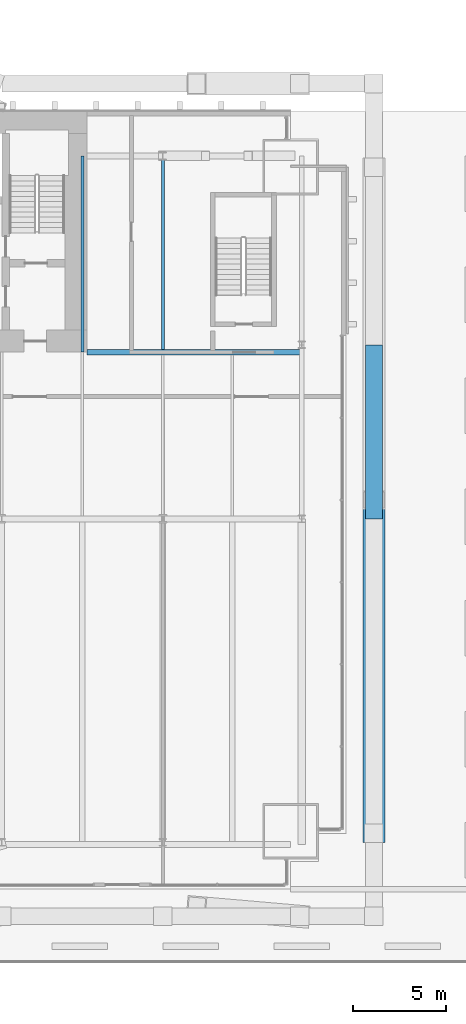
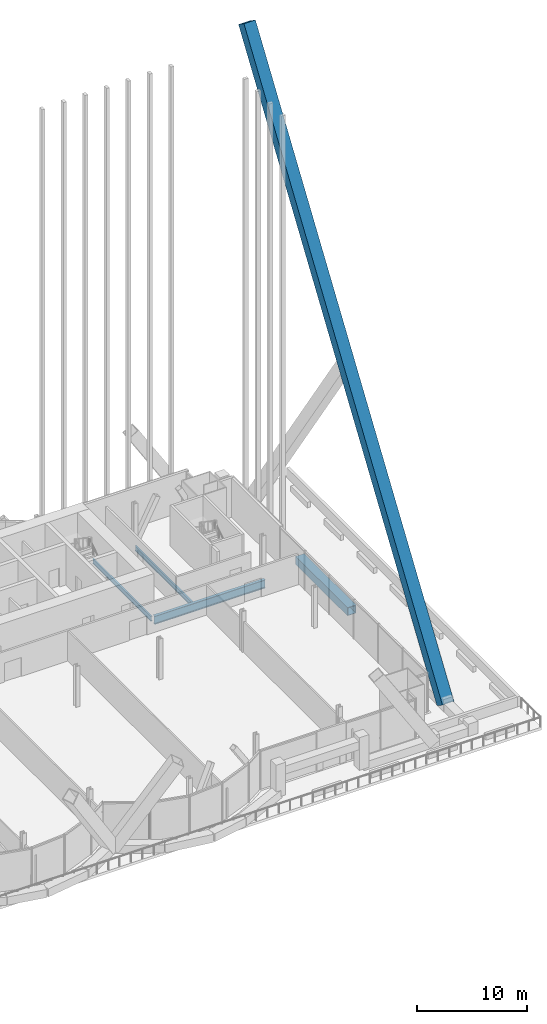
# One storey, part 16 of 29: 3 beams, 2 members.
"""IFC4 building model written with IfcOpenShell, lengths in metres."""

import ifcopenshell
import ifcopenshell.guid

model = None  # the IFC model being written
_history = None  # IfcOwnerHistory: only IFC2X3 demands one
_inside = {}  # id of a spatial element -> (the spatial element, [elements in it])
_under = {}  # id of a project, library or spatial element -> (it, [spatial elements below it])
_declared = {}  # id of a project -> (the project, [libraries it declares])
_typed = {}  # id of a type object -> (the type object, [elements of that type])
_made_of = {}  # id of a material, layer set ... -> (it, [elements and type objects made of it])


def new_model(schema):
    """Start an empty IFC model of exactly this schema.

    Asked for "IFC4X3", IfcOpenShell would pick the latest addendum, in which some entities
    have other attributes; the version numbers below select the first issue.
    IFC2X3 requires an IfcOwnerHistory on every rooted entity: one is made here for all.
    """
    global model, _history
    if schema == "IFC4X3":
        model = ifcopenshell.file(schema_version=(4, 3, 0, 0))
    else:
        model = ifcopenshell.file(schema=schema)
    _inside.clear()
    _under.clear()
    _declared.clear()
    _typed.clear()
    _made_of.clear()
    _history = None
    if model.schema == "IFC2X3":
        org = make("IfcOrganization", Name="unknown")
        user = make(
            "IfcPersonAndOrganization",
            ThePerson=make("IfcPerson", FamilyName="unknown"),
            TheOrganization=org,
        )
        app = make(
            "IfcApplication",
            ApplicationDeveloper=org,
            Version="unknown",
            ApplicationFullName="unknown",
            ApplicationIdentifier="unknown",
        )
        _history = make(
            "IfcOwnerHistory",
            OwningUser=user,
            OwningApplication=app,
            ChangeAction="ADDED",
            CreationDate=0,
        )
    return model


def make(cls, **values):
    """One entity of the class cls with the attributes given. An attribute that is None is left unset."""
    return model.create_entity(
        cls, **{name: value for name, value in values.items() if value is not None}
    )


def rooted(cls, **values):
    """An entity with a GlobalId (a new one), such as an element, a storey or a relation."""
    return make(cls, GlobalId=ifcopenshell.guid.new(), OwnerHistory=_history, **values)


def si_unit(unit_type, name, prefix=None):
    """IfcSIUnit, for example si_unit("LENGTHUNIT", "METRE", prefix="MILLI")."""
    return make("IfcSIUnit", UnitType=unit_type, Prefix=prefix, Name=name)


def assignment(units):
    """IfcUnitAssignment: the units of a project."""
    return None if units is None else make("IfcUnitAssignment", Units=units)


def point(xyz):
    """IfcCartesianPoint."""
    return None if xyz is None else make("IfcCartesianPoint", Coordinates=xyz)


def direction(xyz):
    """IfcDirection."""
    return None if xyz is None else make("IfcDirection", DirectionRatios=xyz)


def frame(location, z_axis=None, x_axis=None):
    """IfcAxis2Placement3D, a coordinate frame: its origin and axes. An axis left out is left unset."""
    return make(
        "IfcAxis2Placement3D",
        Location=point(location),
        Axis=direction(z_axis),
        RefDirection=direction(x_axis),
    )


def frame_2d(location, x_axis=None):
    """IfcAxis2Placement2D, a coordinate frame in the plane: its origin and x axis."""
    return make(
        "IfcAxis2Placement2D", Location=point(location), RefDirection=direction(x_axis)
    )


def origin():
    """The frame at (0, 0, 0) with its axes left unset."""
    return frame((0.0, 0.0, 0.0))


def origin_2d():
    """The frame at (0, 0) in the plane with its x axis left unset."""
    return frame_2d((0.0, 0.0))


def place(relative_to, where):
    """IfcLocalPlacement: puts the frame where relative to a parent placement (None: the world)."""
    return make(
        "IfcLocalPlacement", PlacementRelTo=relative_to, RelativePlacement=where
    )


def context(
    kind, dimensions, precision=None, world=None, true_north=None, identifier=None
):
    """IfcGeometricRepresentationContext, for example the 3D "Model" context."""
    return make(
        "IfcGeometricRepresentationContext",
        ContextIdentifier=identifier,
        ContextType=kind,
        CoordinateSpaceDimension=dimensions,
        Precision=precision,
        WorldCoordinateSystem=world,
        TrueNorth=true_north,
    )


def subcontext(parent, identifier, kind, view, scale=None):
    """IfcGeometricRepresentationSubContext, for example "Body" below "Model"."""
    return make(
        "IfcGeometricRepresentationSubContext",
        ContextIdentifier=identifier,
        ContextType=kind,
        ParentContext=parent,
        TargetScale=scale,
        TargetView=view,
    )


def project(units=None, contexts=None):
    """IfcProject with its units and contexts."""
    return rooted(
        "IfcProject",
        Name="project",
        RepresentationContexts=contexts,
        UnitsInContext=assignment(units),
    )


def spatial(cls, under=None, at=None, **own):
    """A site, building, storey or space (cls), placed at a placement, below another one or the project."""
    s = rooted(cls, ObjectPlacement=at, **own)
    if under is not None:
        _under.setdefault(under.id(), (under, []))[1].append(s)
    return s


def profile(cls, at=None, kind="AREA", **sizes):
    """A parametric profile (cls). Its sizes go by their IFC names, for example OverallWidth=200.0."""
    return make(cls, ProfileType=kind, Position=at, **sizes)


def hollow_rectangle(**sizes):
    """IfcRectangleHollowProfileDef."""
    return profile("IfcRectangleHollowProfileDef", **sizes)


def i_section(**sizes):
    """IfcIShapeProfileDef."""
    return profile("IfcIShapeProfileDef", **sizes)


def extrude(swept, where, along, depth):
    """IfcExtrudedAreaSolid: the profile swept, set in the frame where, extruded along a direction by depth."""
    return make(
        "IfcExtrudedAreaSolid",
        SweptArea=swept,
        Position=where,
        ExtrudedDirection=direction(along),
        Depth=depth,
    )


def shape(context_of_items, identifier, shape_type, items):
    """IfcShapeRepresentation: the items that make up one representation, for example the "Body"."""
    return make(
        "IfcShapeRepresentation",
        ContextOfItems=context_of_items,
        RepresentationIdentifier=identifier,
        RepresentationType=shape_type,
        Items=items,
    )


def material(Name=None, Category=None):
    """IfcMaterial."""
    return make("IfcMaterial", Name=Name, Category=Category)


def material_profile(
    of_material, cross_section, Name=None, Category=None, Priority=None
):
    """IfcMaterialProfile: a cross section and its material."""
    return make(
        "IfcMaterialProfile",
        Name=Name,
        Material=of_material,
        Profile=cross_section,
        Priority=Priority,
        Category=Category,
    )


def profile_set(profiles, Name=None, composite=None):
    """IfcMaterialProfileSet."""
    return make(
        "IfcMaterialProfileSet",
        Name=Name,
        MaterialProfiles=profiles,
        CompositeProfile=composite,
    )


def made_of(thing, what):
    """Note that an element or type object is made of a material, layer set ...; save() writes the relation."""
    if what is not None:
        _made_of.setdefault(what.id(), (what, []))[1].append(thing)
    return thing


def type_object(cls, material=None, **own):
    """A type object (cls), such as IfcWallType, which elements share."""
    return made_of(rooted(cls, **own), material)


def element(
    cls,
    number,
    at=None,
    inside=None,
    cuts=None,
    type_object=None,
    material=None,
    context=None,
    identifier="Body",
    shape_type=None,
    held_by="IfcProductDefinitionShape",
    body=None,
    shapes=None,
    **own,
):
    """One element of the class cls, such as IfcWall. Its Tag is "e" and its number.

    at: its placement. inside: the storey or other place that contains it. cuts: it is an
    opening in that element (IfcRelVoidsElement). A single representation is given by context,
    identifier, shape_type and body (its items); several are given by shapes. held_by: the class
    of the entity that holds the representations. save() writes the other relations.
    """
    e = rooted(cls, Tag="e%d" % number, ObjectPlacement=at, **own)
    if body is not None:
        shapes = [shape(context, identifier, shape_type, body)]
    if shapes is not None:
        e.Representation = make(held_by, Representations=shapes)
    if inside is not None:
        _inside.setdefault(inside.id(), (inside, []))[1].append(e)
    if cuts is not None:
        rooted(
            "IfcRelVoidsElement", RelatingBuildingElement=cuts, RelatedOpeningElement=e
        )
    if type_object is not None:
        _typed.setdefault(type_object.id(), (type_object, []))[1].append(e)
    return made_of(e, material)


def aggregate(whole, parts):
    """IfcRelAggregates: a whole, such as a stair, and the parts it consists of."""
    return rooted("IfcRelAggregates", RelatingObject=whole, RelatedObjects=parts)


def save(model, path):
    """Write the relations noted so far, then the file.

    IfcRelAggregates (storeys below a building ...), IfcRelContainedInSpatialStructure (elements
    in a storey), IfcRelDefinesByType, IfcRelAssociatesMaterial and IfcRelDeclares: one each for
    every whole, place, type object, material and project.
    """
    for whole, parts in _under.values():
        aggregate(whole, parts)
    for where, things in _inside.values():
        rooted(
            "IfcRelContainedInSpatialStructure",
            RelatedElements=things,
            RelatingStructure=where,
        )
    for kind, things in _typed.values():
        rooted("IfcRelDefinesByType", RelatedObjects=things, RelatingType=kind)
    for what, things in _made_of.values():
        rooted("IfcRelAssociatesMaterial", RelatedObjects=things, RelatingMaterial=what)
    for by, libraries in _declared.values():
        rooted("IfcRelDeclares", RelatingContext=by, RelatedDefinitions=libraries)
    model.write(path)


model = new_model("IFC4")

# Units and contexts
model_context = context("Model", 3, precision=1e-05, world=origin(), true_north=direction((0.0, 1.0)))
body_context = subcontext(model_context, "Body", "Model", "MODEL_VIEW")
ifc_project = project(units=[si_unit("LENGTHUNIT", "METRE"), si_unit("AREAUNIT", "SQUARE_METRE"), si_unit("VOLUMEUNIT", "CUBIC_METRE"), si_unit("PLANEANGLEUNIT", "RADIAN"), si_unit("MASSUNIT", "GRAM", prefix="KILO")], contexts=[model_context])

# Site, building, storey
site_placement = place(None, origin())
site = spatial("IfcSite", under=ifc_project, at=site_placement, CompositionType="ELEMENT")
building_placement = place(site_placement, origin())
building = spatial("IfcBuilding", under=site, at=building_placement, Name="Bicima Exchange Tower", CompositionType="ELEMENT")
storey_placement = place(building_placement, frame((0.0, 0.0, 35.0)))
storey = spatial("IfcBuildingStorey", under=building, at=storey_placement, Name="L06", CompositionType="ELEMENT", Elevation=35.0)

# Beam
ifc_material_1 = material(Name="Steel ASTM A992 Gr 50", Category="steel")
ifc_material_profile_1 = material_profile(ifc_material_1, i_section(OverallWidth=0.3046875, OverallDepth=0.911865234375, WebThickness=0.015869140625, FlangeThickness=0.02392578125, at=origin_2d()))
ifc_profile_set_1 = profile_set([ifc_material_profile_1], Name="Steel ASTM A992 Gr 50")
beam_type_1 = type_object("IfcBeamType", Name="Core-line girder W36x150", PredefinedType="BEAM", material=ifc_profile_set_1)
beam_1_placement = place(storey_placement, frame((22.0, -13.0, -0.60595703125), z_axis=(1.0, 0.0, 0.0), x_axis=(0.0, 1.0, 0.0)))
element("IfcBeam", 1, at=beam_1_placement, inside=storey, type_object=beam_type_1, Name="Core-line girder", PredefinedType="BEAM", context=body_context, shape_type="SweptSolid", body=[
    extrude(i_section(OverallWidth=0.3046875, OverallDepth=0.911865234375, WebThickness=0.015869140625, FlangeThickness=0.02392578125, at=origin_2d()), origin(), (0.0, 0.0, 1.0), 11.60009765625),
])

# Members
ifc_material_2 = material(Name="Steel ASTM A572 Gr 50", Category="steel")
ifc_material_profile_2 = material_profile(ifc_material_2, hollow_rectangle(XDim=0.89990234375, YDim=0.89990234375, WallThickness=0.050048828125, at=origin_2d()))
ifc_profile_set_2 = profile_set([ifc_material_profile_2], Name="Steel ASTM A572 Gr 50")
member_type_1 = type_object("IfcMemberType", Name="Exo belt ring BOX 900x900x50", PredefinedType="CHORD", material=ifc_profile_set_2)
member_1_placement = place(storey_placement, frame((37.5, -22.0, 0.449951171875), z_axis=(0.0, 1.0, 0.0), x_axis=(-1.0, 0.0, 0.0)))
element("IfcMember", 2, at=member_1_placement, inside=storey, type_object=member_type_1, Name="Exo belt ring", PredefinedType="CHORD", context=body_context, shape_type="SweptSolid", body=[
    extrude(hollow_rectangle(XDim=0.89990234375, YDim=0.89990234375, WallThickness=0.050048828125, at=origin_2d()), origin(), (0.0, 0.0, 1.0), 9.39990234375),
])
ifc_material_profile_3 = material_profile(ifc_material_2, hollow_rectangle(XDim=1.199951171875, YDim=1.199951171875, WallThickness=0.070068359375, at=origin_2d()))
ifc_profile_set_3 = profile_set([ifc_material_profile_3], Name="Steel ASTM A572 Gr 50")
member_type_2 = type_object("IfcMemberType", Name="Exo mega brace BOX 1200x1200x70", PredefinedType="BRACE", material=ifc_profile_set_3)
member_2_placement = place(storey_placement, frame((37.5, -38.9755859375, 0.449951171875), z_axis=(0.0, 0.557653763553, 0.830073659379), x_axis=(-1.0, 0.0, 0.0)))
element("IfcMember", 3, at=member_2_placement, inside=storey, type_object=member_type_2, Name="Exo mega brace end", PredefinedType="BRACE", context=body_context, shape_type="SweptSolid", body=[
    extrude(hollow_rectangle(XDim=1.199951171875, YDim=1.199951171875, WallThickness=0.070068359375, at=origin_2d()), origin(), (0.0, 0.0, 1.0), 64.512451171875),
])

# Beams
ifc_material_profile_4 = material_profile(ifc_material_1, i_section(OverallWidth=0.165771484375, OverallDepth=0.5283203125, WebThickness=0.009765625, FlangeThickness=0.013671875, at=origin_2d()))
ifc_profile_set_4 = profile_set([ifc_material_profile_4], Name="Steel ASTM A992 Gr 50")
beam_type_2 = type_object("IfcBeamType", Name="Floor beam W21x50", PredefinedType="JOIST", material=ifc_profile_set_4)
beam_2_placement = place(storey_placement, frame((21.75, -2.39990234375, -0.414306640625), z_axis=(0.0, -1.0, 0.0), x_axis=(1.0, 0.0, 0.0)))
element("IfcBeam", 4, at=beam_2_placement, inside=storey, type_object=beam_type_2, Name="Floor beam", PredefinedType="JOIST", context=body_context, shape_type="SweptSolid", body=[
    extrude(i_section(OverallWidth=0.165771484375, OverallDepth=0.5283203125, WebThickness=0.009765625, FlangeThickness=0.013671875, at=origin_2d()), origin(), (0.0, 0.0, 1.0), 10.60009765625),
])
beam_3_placement = place(storey_placement, frame((26.10009765625, -2.5625, -0.414306640625), z_axis=(0.0, -1.0, 0.0), x_axis=(1.0, 0.0, 0.0)))
element("IfcBeam", 5, at=beam_3_placement, inside=storey, type_object=beam_type_2, Name="Floor beam", PredefinedType="JOIST", context=body_context, shape_type="SweptSolid", body=[
    extrude(i_section(OverallWidth=0.165771484375, OverallDepth=0.5283203125, WebThickness=0.009765625, FlangeThickness=0.013671875, at=origin_2d()), origin(), (0.0, 0.0, 1.0), 10.28515625),
])

save(model, "model.ifc")
